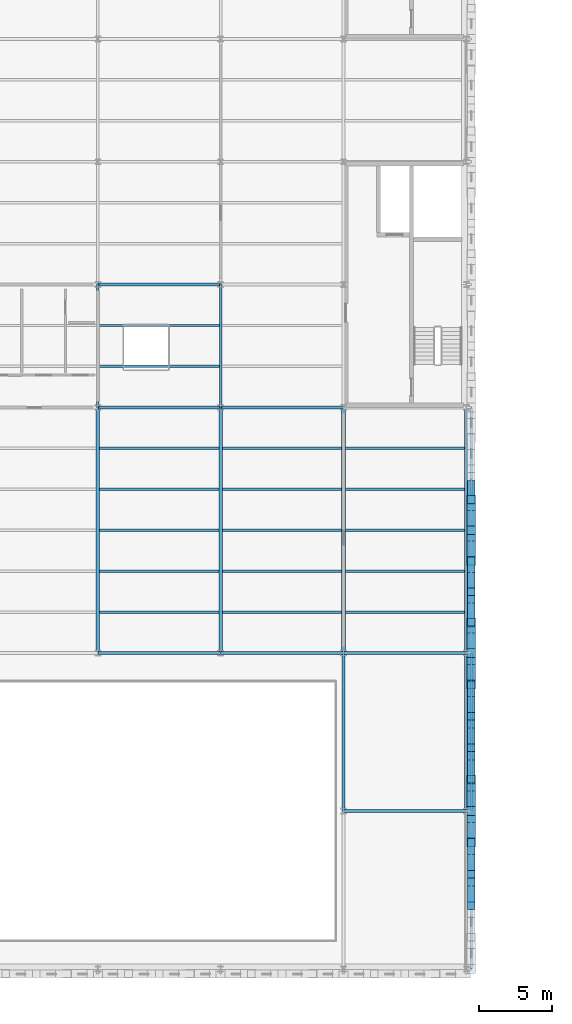
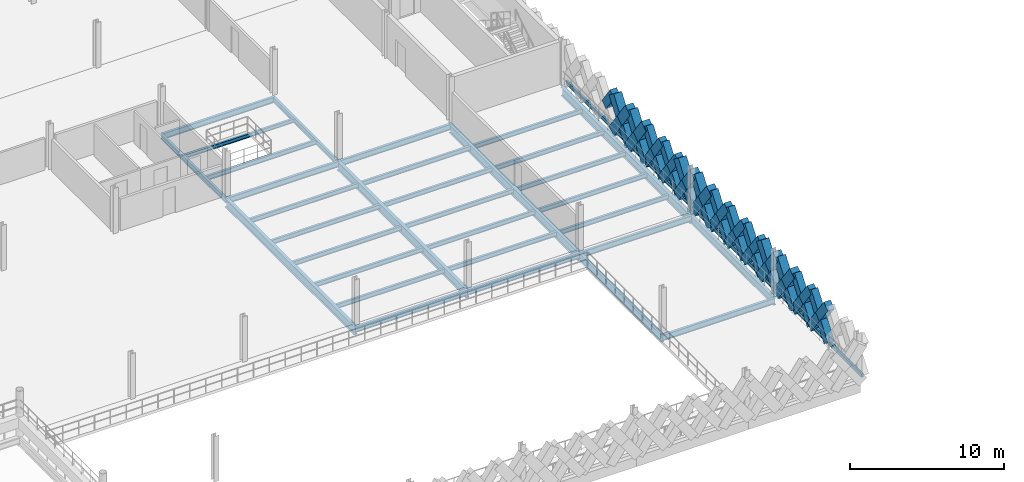
# One storey, part 23 of 74: 43 members, 32 beams.
"""IFC4 building model written with IfcOpenShell, lengths in metres."""

from ifc_helpers import new_model, si_unit, direction, frame, origin, origin_2d, place, context, subcontext, project, spatial, rectangle, hollow_rectangle, i_section, extrude, material, material_profile, profile_set, type_object, element, save


model = new_model("IFC4")

# Units and contexts
model_context = context("Model", 3, precision=1e-05, world=origin(), true_north=direction((0.0, 1.0)))
body_context = subcontext(model_context, "Body", "Model", "MODEL_VIEW")
ifc_project = project(units=[si_unit("LENGTHUNIT", "METRE"), si_unit("AREAUNIT", "SQUARE_METRE"), si_unit("VOLUMEUNIT", "CUBIC_METRE"), si_unit("PLANEANGLEUNIT", "RADIAN"), si_unit("MASSUNIT", "GRAM", prefix="KILO"), si_unit("THERMODYNAMICTEMPERATUREUNIT", "KELVIN"), si_unit("POWERUNIT", "WATT")], contexts=[model_context])

# Site, building, storey
site_placement = place(None, origin())
site = spatial("IfcSite", under=ifc_project, at=site_placement, CompositionType="ELEMENT")
building_placement = place(site_placement, origin())
building = spatial("IfcBuilding", under=site, at=building_placement, Name="Tembeka Court Mobility Hub", CompositionType="ELEMENT")
storey_placement = place(building_placement, frame((0.0, 0.0, 12.60009765625)))
storey = spatial("IfcBuildingStorey", under=building, at=storey_placement, Name="L03", CompositionType="ELEMENT", Elevation=12.60009765625)

# Beams
ifc_material_1 = material(Name="Steel S355", Category="steel")
ifc_material_profile_1 = material_profile(ifc_material_1, i_section(OverallWidth=0.18994140625, OverallDepth=0.45703125, WebThickness=0.009033203125, FlangeThickness=0.014404296875, FilletRadius=0.01025390625, at=origin_2d()), Name="UKB 457x191x74")
ifc_profile_set_1 = profile_set([ifc_material_profile_1], Name="Steel S355")
beam_type_1 = type_object("IfcBeamType", Name="BM-B01", PredefinedType="BEAM", material=ifc_profile_set_1)
beam_1_placement = place(storey_placement, frame((84.0, 10.800048828125, -0.448486328125), z_axis=(1.0, 0.0, 0.0), x_axis=(0.0, 1.0, 0.0)))
element("IfcBeam", 1, at=beam_1_placement, inside=storey, type_object=beam_type_1, Name="Beam B01 (BM-L03-X1698)", PredefinedType="BEAM", context=body_context, shape_type="SweptSolid", body=[
    extrude(i_section(OverallWidth=0.18994140625, OverallDepth=0.45703125, WebThickness=0.009033203125, FlangeThickness=0.014404296875, FilletRadius=0.01025390625, at=origin_2d()), origin(), (0.0, 0.0, 1.0), 8.39990234375),
])
beam_2_placement = place(storey_placement, frame((67.199951171875, 21.60009765625, -0.448486328125), z_axis=(1.0, 0.0, 0.0), x_axis=(0.0, 1.0, 0.0)))
element("IfcBeam", 2, at=beam_2_placement, inside=storey, type_object=beam_type_1, Name="Beam B01 (BM-L03-X1711)", PredefinedType="BEAM", context=body_context, shape_type="SweptSolid", body=[
    extrude(i_section(OverallWidth=0.18994140625, OverallDepth=0.45703125, WebThickness=0.009033203125, FlangeThickness=0.014404296875, FilletRadius=0.01025390625, at=origin_2d()), origin(), (0.0, 0.0, 1.0), 8.400146484375),
])
for number, where, z_axis, x_axis, name in (
    (3, (75.60009765625, 21.60009765625, -0.448486328125), (1.0, 0.0, 0.0), (0.0, 1.0, 0.0), "Beam B01 (BM-L03-X1712)"),
    (4, (84.0, 21.60009765625, -0.448486328125), (1.0, 0.0, 0.0), (0.0, 1.0, 0.0), "Beam B01 (BM-L03-X1713)"),
):
    element("IfcBeam", number, at=place(storey_placement, frame(where, z_axis=z_axis, x_axis=x_axis)), inside=storey, type_object=beam_type_1, Name=name, PredefinedType="BEAM", context=body_context, shape_type="SweptSolid", body=[
        extrude(i_section(OverallWidth=0.18994140625, OverallDepth=0.45703125, WebThickness=0.009033203125, FlangeThickness=0.014404296875, FilletRadius=0.01025390625, at=origin_2d()), origin(), (0.0, 0.0, 1.0), 8.39990234375),
    ])
beam_3_placement = place(storey_placement, frame((67.199951171875, 38.39990234375, -0.448486328125), z_axis=(1.0, 0.0, 0.0), x_axis=(0.0, 1.0, 0.0)))
element("IfcBeam", 5, at=beam_3_placement, inside=storey, type_object=beam_type_1, Name="Beam B01 (BM-L03-X1726)", PredefinedType="BEAM", context=body_context, shape_type="SweptSolid", body=[
    extrude(i_section(OverallWidth=0.18994140625, OverallDepth=0.45703125, WebThickness=0.009033203125, FlangeThickness=0.014404296875, FilletRadius=0.01025390625, at=origin_2d()), origin(), (0.0, 0.0, 1.0), 8.400146484375),
])
beam_4_placement = place(storey_placement, frame((75.60009765625, 38.39990234375, -0.448486328125), z_axis=(1.0, 0.0, 0.0), x_axis=(0.0, 1.0, 0.0)))
element("IfcBeam", 6, at=beam_4_placement, inside=storey, type_object=beam_type_1, Name="Beam B01 (BM-L03-X1727)", PredefinedType="BEAM", context=body_context, shape_type="SweptSolid", body=[
    extrude(i_section(OverallWidth=0.18994140625, OverallDepth=0.45703125, WebThickness=0.009033203125, FlangeThickness=0.014404296875, FilletRadius=0.01025390625, at=origin_2d()), origin(), (0.0, 0.0, 1.0), 8.39990234375),
])
beam_5_placement = place(storey_placement, frame((67.199951171875, 46.800048828125, -0.448486328125), z_axis=(1.0, 0.0, 0.0), x_axis=(0.0, 1.0, 0.0)))
element("IfcBeam", 7, at=beam_5_placement, inside=storey, type_object=beam_type_1, Name="Beam B01 (BM-L03-X1741)", PredefinedType="BEAM", context=body_context, shape_type="SweptSolid", body=[
    extrude(i_section(OverallWidth=0.18994140625, OverallDepth=0.45703125, WebThickness=0.009033203125, FlangeThickness=0.014404296875, FilletRadius=0.01025390625, at=origin_2d()), origin(), (0.0, 0.0, 1.0), 8.400146484375),
])
ifc_material_profile_2 = material_profile(ifc_material_1, i_section(OverallWidth=0.177978515625, OverallDepth=0.406005859375, WebThickness=0.0078125, FlangeThickness=0.0126953125, FilletRadius=0.01025390625, at=origin_2d()), Name="UKB 406x178x60")
ifc_profile_set_2 = profile_set([ifc_material_profile_2], Name="Steel S355")
beam_type_2 = type_object("IfcBeamType", Name="BM-B02", PredefinedType="BEAM", material=ifc_profile_set_2)
for number, where, z_axis, x_axis, name in (
    (8, (67.199951171875, 38.39990234375, -0.423095703125), (0.0, 1.0, 0.0), (-1.0, 0.0, 0.0), "Beam B02 (BM-L03-Y1886)"),
    (9, (75.60009765625, 38.39990234375, -0.423095703125), (0.0, 1.0, 0.0), (-1.0, 0.0, 0.0), "Beam B02 (BM-L03-Y1893)"),
):
    element("IfcBeam", number, at=place(storey_placement, frame(where, z_axis=z_axis, x_axis=x_axis)), inside=storey, type_object=beam_type_2, Name=name, PredefinedType="BEAM", context=body_context, shape_type="SweptSolid", body=[
        extrude(i_section(OverallWidth=0.177978515625, OverallDepth=0.406005859375, WebThickness=0.0078125, FlangeThickness=0.0126953125, FilletRadius=0.01025390625, at=origin_2d()), origin(), (0.0, 0.0, 1.0), 8.400146484375),
    ])
ifc_material_profile_3 = material_profile(ifc_material_1, i_section(OverallWidth=0.25390625, OverallDepth=0.68408203125, WebThickness=0.012451171875, FlangeThickness=0.01904296875, FilletRadius=0.01513671875, at=origin_2d()), Name="UKB 686x254x140")
ifc_profile_set_3 = profile_set([ifc_material_profile_3], Name="Steel S355")
beam_type_3 = type_object("IfcBeamType", Name="BM-G01", PredefinedType="USERDEFINED", material=ifc_profile_set_3)
for number, where, z_axis, x_axis, name in (
    (10, (67.199951171875, 21.60009765625, -0.56201171875), (0.0, 1.0, 0.0), (-1.0, 0.0, 0.0), "Beam G01 (BM-L03-Y1885)"),
    (11, (75.60009765625, 21.60009765625, -0.56201171875), (0.0, 1.0, 0.0), (-1.0, 0.0, 0.0), "Beam G01 (BM-L03-Y1892)"),
    (12, (84.0, 21.60009765625, -0.56201171875), (0.0, 1.0, 0.0), (-1.0, 0.0, 0.0), "Beam G01 (BM-L03-Y1901)"),
    (13, (92.39990234375, 21.60009765625, -0.56201171875), (0.0, 1.0, 0.0), (-1.0, 0.0, 0.0), "Beam G01 (BM-L03-Y1912)"),
):
    element("IfcBeam", number, at=place(storey_placement, frame(where, z_axis=z_axis, x_axis=x_axis)), inside=storey, type_object=beam_type_3, Name=name, ObjectType="GIRDER", PredefinedType="USERDEFINED", context=body_context, shape_type="SweptSolid", body=[
        extrude(i_section(OverallWidth=0.25390625, OverallDepth=0.68408203125, WebThickness=0.012451171875, FlangeThickness=0.01904296875, FilletRadius=0.01513671875, at=origin_2d()), origin(), (0.0, 0.0, 1.0), 16.7998046875),
    ])
ifc_material_profile_4 = material_profile(ifc_material_1, i_section(OverallWidth=0.22900390625, OverallDepth=0.612060546875, WebThickness=0.011962890625, FlangeThickness=0.01953125, FilletRadius=0.0126953125, at=origin_2d()), Name="UKB 610x229x125")
ifc_profile_set_4 = profile_set([ifc_material_profile_4], Name="Steel S355")
beam_type_4 = type_object("IfcBeamType", Name="BM-G02", PredefinedType="USERDEFINED", material=ifc_profile_set_4)
for number, where, z_axis, x_axis, name in (
    (14, (84.0, 10.800048828125, -0.526123046875), (0.0, 1.0, 0.0), (-1.0, 0.0, 0.0), "Beam G02 (BM-L03-Y1900)"),
    (15, (92.39990234375, 10.800048828125, -0.526123046875), (0.0, 1.0, 0.0), (-1.0, 0.0, 0.0), "Beam G02 (BM-L03-Y1911)"),
):
    element("IfcBeam", number, at=place(storey_placement, frame(where, z_axis=z_axis, x_axis=x_axis)), inside=storey, type_object=beam_type_4, Name=name, ObjectType="GIRDER", PredefinedType="USERDEFINED", context=body_context, shape_type="SweptSolid", body=[
        extrude(i_section(OverallWidth=0.22900390625, OverallDepth=0.612060546875, WebThickness=0.011962890625, FlangeThickness=0.01953125, FilletRadius=0.0126953125, at=origin_2d()), origin(), (0.0, 0.0, 1.0), 10.800048828125),
    ])
ifc_material_profile_5 = material_profile(ifc_material_1, i_section(OverallWidth=0.172119140625, OverallDepth=0.35498046875, WebThickness=0.00732421875, FlangeThickness=0.011474609375, FilletRadius=0.01025390625, at=origin_2d()), Name="UKB 356x171x51")
ifc_profile_set_5 = profile_set([ifc_material_profile_5], Name="Steel S355")
beam_type_5 = type_object("IfcBeamType", Name="BM-J01", PredefinedType="JOIST", material=ifc_profile_set_5)
for number, where, z_axis, x_axis, name in (
    (16, (67.322021484375, 24.39990234375, -0.397705078125), (1.0, 0.0, 0.0), (0.0, 1.0, 0.0), "Beam J01 (JST-L03-2090)"),
    (17, (67.322021484375, 27.199951171875, -0.397705078125), (1.0, 0.0, 0.0), (0.0, 1.0, 0.0), "Beam J01 (JST-L03-2091)"),
    (18, (67.322021484375, 30.0, -0.397705078125), (1.0, 0.0, 0.0), (0.0, 1.0, 0.0), "Beam J01 (JST-L03-2092)"),
    (19, (67.322021484375, 32.800048828125, -0.397705078125), (1.0, 0.0, 0.0), (0.0, 1.0, 0.0), "Beam J01 (JST-L03-2093)"),
    (20, (67.322021484375, 35.60009765625, -0.397705078125), (1.0, 0.0, 0.0), (0.0, 1.0, 0.0), "Beam J01 (JST-L03-2094)"),
    (21, (75.721923828125, 24.39990234375, -0.397705078125), (1.0, 0.0, 0.0), (0.0, 1.0, 0.0), "Beam J01 (JST-L03-2110)"),
    (22, (75.721923828125, 27.199951171875, -0.397705078125), (1.0, 0.0, 0.0), (0.0, 1.0, 0.0), "Beam J01 (JST-L03-2111)"),
    (23, (75.721923828125, 30.0, -0.397705078125), (1.0, 0.0, 0.0), (0.0, 1.0, 0.0), "Beam J01 (JST-L03-2112)"),
    (24, (75.721923828125, 32.800048828125, -0.397705078125), (1.0, 0.0, 0.0), (0.0, 1.0, 0.0), "Beam J01 (JST-L03-2113)"),
    (25, (75.721923828125, 35.60009765625, -0.397705078125), (1.0, 0.0, 0.0), (0.0, 1.0, 0.0), "Beam J01 (JST-L03-2114)"),
    (26, (84.1220703125, 24.39990234375, -0.397705078125), (1.0, 0.0, 0.0), (0.0, 1.0, 0.0), "Beam J01 (JST-L03-2130)"),
    (27, (84.1220703125, 27.199951171875, -0.397705078125), (1.0, 0.0, 0.0), (0.0, 1.0, 0.0), "Beam J01 (JST-L03-2131)"),
    (28, (84.1220703125, 30.0, -0.397705078125), (1.0, 0.0, 0.0), (0.0, 1.0, 0.0), "Beam J01 (JST-L03-2132)"),
    (29, (84.1220703125, 32.800048828125, -0.397705078125), (1.0, 0.0, 0.0), (0.0, 1.0, 0.0), "Beam J01 (JST-L03-2133)"),
    (30, (84.1220703125, 35.60009765625, -0.397705078125), (1.0, 0.0, 0.0), (0.0, 1.0, 0.0), "Beam J01 (JST-L03-2134)"),
):
    element("IfcBeam", number, at=place(storey_placement, frame(where, z_axis=z_axis, x_axis=x_axis)), inside=storey, type_object=beam_type_5, Name=name, PredefinedType="JOIST", context=body_context, shape_type="SweptSolid", body=[
        extrude(i_section(OverallWidth=0.172119140625, OverallDepth=0.35498046875, WebThickness=0.00732421875, FlangeThickness=0.011474609375, FilletRadius=0.01025390625, at=origin_2d()), origin(), (0.0, 0.0, 1.0), 8.156005859375),
    ])
ifc_material_profile_6 = material_profile(ifc_material_1, i_section(OverallWidth=0.1650390625, OverallDepth=0.303955078125, WebThickness=0.006103515625, FlangeThickness=0.01025390625, FilletRadius=0.0087890625, at=origin_2d()), Name="UKB 305x165x40")
ifc_profile_set_6 = profile_set([ifc_material_profile_6], Name="Steel S355")
beam_type_6 = type_object("IfcBeamType", Name="BM-J02", PredefinedType="JOIST", material=ifc_profile_set_6)
beam_6_placement = place(storey_placement, frame((67.283935546875, 44.0, -0.3720703125), z_axis=(1.0, 0.0, 0.0), x_axis=(0.0, 1.0, 0.0)))
element("IfcBeam", 31, at=beam_6_placement, inside=storey, type_object=beam_type_6, Name="Beam J02 (JST-L03-2096)", PredefinedType="JOIST", context=body_context, shape_type="SweptSolid", body=[
    extrude(i_section(OverallWidth=0.1650390625, OverallDepth=0.303955078125, WebThickness=0.006103515625, FlangeThickness=0.01025390625, FilletRadius=0.0087890625, at=origin_2d()), origin(), (0.0, 0.0, 1.0), 8.232177734375),
])
ifc_material_profile_7 = material_profile(ifc_material_1, i_section(OverallWidth=0.169921875, OverallDepth=0.360107421875, WebThickness=0.008056640625, FlangeThickness=0.0126953125, FilletRadius=0.01806640625, at=origin_2d()), Name="IPE 360")
ifc_profile_set_7 = profile_set([ifc_material_profile_7], Name="Steel S355")
beam_type_7 = type_object("IfcBeamType", Name="BM-J03", PredefinedType="JOIST", material=ifc_profile_set_7)
beam_7_placement = place(storey_placement, frame((67.283935546875, 41.199951171875, -0.400146484375), z_axis=(1.0, 0.0, 0.0), x_axis=(0.0, 1.0, 0.0)))
element("IfcBeam", 32, at=beam_7_placement, inside=storey, type_object=beam_type_7, Name="Beam J03 (JST-L03-2095)", PredefinedType="JOIST", context=body_context, shape_type="SweptSolid", body=[
    extrude(i_section(OverallWidth=0.169921875, OverallDepth=0.360107421875, WebThickness=0.008056640625, FlangeThickness=0.0126953125, FilletRadius=0.01806640625, at=origin_2d()), origin(), (0.0, 0.0, 1.0), 8.232177734375),
])

# Members
ifc_material_2 = material(Name="Precast concrete C45/55", Category="concrete")
ifc_material_profile_8 = material_profile(ifc_material_2, rectangle(XDim=0.5, YDim=0.64990234375, at=origin_2d()), Name="PC-DIAG 500x650")
ifc_profile_set_8 = profile_set([ifc_material_profile_8], Name="Precast concrete C45/55")
member_type_1 = type_object("IfcMemberType", Name="MEM-DL01", PredefinedType="BRACE", material=ifc_profile_set_8)
member_1_placement = place(storey_placement, frame((92.739990234375, 4.320068359375, 0.02001953125), z_axis=(0.0, 0.593379766398, 0.804922637792), x_axis=(-1.0, 0.0, 0.0)))
element("IfcMember", 33, at=member_1_placement, inside=storey, type_object=member_type_1, Name="Precast diamond lattice continuous strand DL01 (L03-535C)", PredefinedType="BRACE", context=body_context, shape_type="SweptSolid", body=[
    extrude(rectangle(XDim=0.5, YDim=0.64990234375, at=origin_2d()), origin(), (0.0, 0.0, 1.0), 3.64013671875),
])
for number, where, z_axis, x_axis, name in (
    (34, (92.739990234375, 6.47998046875, 0.02001953125), (0.0, -0.593455255298, 0.804866982773), (1.0, 0.0, 0.0), "Precast diamond lattice split lower strand DL01 (L03-535D1)"),
    (35, (92.739990234375, 5.39990234375, 1.48486328125), (0.0, -0.593304274421, 0.804978284151), (1.0, 0.0, 0.0), "Precast diamond lattice split upper strand DL01 (L03-535D2)"),
):
    element("IfcMember", number, at=place(storey_placement, frame(where, z_axis=z_axis, x_axis=x_axis)), inside=storey, type_object=member_type_1, Name=name, PredefinedType="BRACE", context=body_context, shape_type="SweptSolid", body=[
        extrude(rectangle(XDim=0.5, YDim=0.64990234375, at=origin_2d()), origin(), (0.0, 0.0, 1.0), 1.820068359375),
    ])
member_2_placement = place(storey_placement, frame((92.739990234375, 6.47998046875, 0.02001953125), z_axis=(0.0, 0.593379766398, 0.804922637792), x_axis=(-1.0, 0.0, 0.0)))
element("IfcMember", 36, at=member_2_placement, inside=storey, type_object=member_type_1, Name="Precast diamond lattice continuous strand DL01 (L03-536C)", PredefinedType="BRACE", context=body_context, shape_type="SweptSolid", body=[
    extrude(rectangle(XDim=0.5, YDim=0.64990234375, at=origin_2d()), origin(), (0.0, 0.0, 1.0), 3.64013671875),
])
member_3_placement = place(storey_placement, frame((92.739990234375, 8.639892578125, 0.02001953125), z_axis=(0.0, -0.593368344659, 0.804931057642), x_axis=(1.0, 0.0, 0.0)))
element("IfcMember", 37, at=member_3_placement, inside=storey, type_object=member_type_1, Name="Precast diamond lattice split lower strand DL01 (L03-536D1)", PredefinedType="BRACE", context=body_context, shape_type="SweptSolid", body=[
    extrude(rectangle(XDim=0.5, YDim=0.64990234375, at=origin_2d()), origin(), (0.0, 0.0, 1.0), 1.81982421875),
])
member_4_placement = place(storey_placement, frame((92.739990234375, 7.56005859375, 1.48486328125), z_axis=(0.0, -0.593391185876, 0.804914219358), x_axis=(1.0, 0.0, 0.0)))
element("IfcMember", 38, at=member_4_placement, inside=storey, type_object=member_type_1, Name="Precast diamond lattice split upper strand DL01 (L03-536D2)", PredefinedType="BRACE", context=body_context, shape_type="SweptSolid", body=[
    extrude(rectangle(XDim=0.5, YDim=0.64990234375, at=origin_2d()), origin(), (0.0, 0.0, 1.0), 1.820068359375),
])
member_5_placement = place(storey_placement, frame((92.739990234375, 12.9599609375, 0.02001953125), z_axis=(0.0, 0.593423219328, 0.804890602978), x_axis=(-1.0, 0.0, 0.0)))
element("IfcMember", 39, at=member_5_placement, inside=storey, type_object=member_type_1, Name="Precast diamond lattice continuous strand DL01 (L03-539C)", PredefinedType="BRACE", context=body_context, shape_type="SweptSolid", body=[
    extrude(rectangle(XDim=0.5, YDim=0.64990234375, at=origin_2d()), origin(), (0.0, 0.0, 1.0), 3.64013671875),
])
for number, where, z_axis, x_axis, name in (
    (40, (92.739990234375, 15.1201171875, 0.02001953125), (0.0, -0.593455255298, 0.804866982773), (1.0, 0.0, 0.0), "Precast diamond lattice split lower strand DL01 (L03-539D1)"),
    (41, (92.739990234375, 14.0400390625, 1.48486328125), (0.0, -0.593391185876, 0.804914219358), (1.0, 0.0, 0.0), "Precast diamond lattice split upper strand DL01 (L03-539D2)"),
):
    element("IfcMember", number, at=place(storey_placement, frame(where, z_axis=z_axis, x_axis=x_axis)), inside=storey, type_object=member_type_1, Name=name, PredefinedType="BRACE", context=body_context, shape_type="SweptSolid", body=[
        extrude(rectangle(XDim=0.5, YDim=0.64990234375, at=origin_2d()), origin(), (0.0, 0.0, 1.0), 1.820068359375),
    ])
member_6_placement = place(storey_placement, frame((92.739990234375, 15.1201171875, 0.02001953125), z_axis=(0.0, 0.593379766398, 0.804922637792), x_axis=(-1.0, 0.0, 0.0)))
element("IfcMember", 42, at=member_6_placement, inside=storey, type_object=member_type_1, Name="Precast diamond lattice continuous strand DL01 (L03-540C)", PredefinedType="BRACE", context=body_context, shape_type="SweptSolid", body=[
    extrude(rectangle(XDim=0.5, YDim=0.64990234375, at=origin_2d()), origin(), (0.0, 0.0, 1.0), 3.64013671875),
])
for number, where, z_axis, x_axis, name in (
    (43, (92.739990234375, 17.280029296875, 0.02001953125), (0.0, -0.593455255298, 0.804866982773), (1.0, 0.0, 0.0), "Precast diamond lattice split lower strand DL01 (L03-540D1)"),
    (44, (92.739990234375, 16.199951171875, 1.48486328125), (0.0, -0.593304274421, 0.804978284151), (1.0, 0.0, 0.0), "Precast diamond lattice split upper strand DL01 (L03-540D2)"),
):
    element("IfcMember", number, at=place(storey_placement, frame(where, z_axis=z_axis, x_axis=x_axis)), inside=storey, type_object=member_type_1, Name=name, PredefinedType="BRACE", context=body_context, shape_type="SweptSolid", body=[
        extrude(rectangle(XDim=0.5, YDim=0.64990234375, at=origin_2d()), origin(), (0.0, 0.0, 1.0), 1.820068359375),
    ])
member_7_placement = place(storey_placement, frame((92.739990234375, 17.280029296875, 0.02001953125), z_axis=(0.0, 0.593379766398, 0.804922637792), x_axis=(-1.0, 0.0, 0.0)))
element("IfcMember", 45, at=member_7_placement, inside=storey, type_object=member_type_1, Name="Precast diamond lattice continuous strand DL01 (L03-541C)", PredefinedType="BRACE", context=body_context, shape_type="SweptSolid", body=[
    extrude(rectangle(XDim=0.5, YDim=0.64990234375, at=origin_2d()), origin(), (0.0, 0.0, 1.0), 3.64013671875),
])
member_8_placement = place(storey_placement, frame((92.739990234375, 19.43994140625, 0.02001953125), z_axis=(0.0, -0.593368344659, 0.804931057642), x_axis=(1.0, 0.0, 0.0)))
element("IfcMember", 46, at=member_8_placement, inside=storey, type_object=member_type_1, Name="Precast diamond lattice split lower strand DL01 (L03-541D1)", PredefinedType="BRACE", context=body_context, shape_type="SweptSolid", body=[
    extrude(rectangle(XDim=0.5, YDim=0.64990234375, at=origin_2d()), origin(), (0.0, 0.0, 1.0), 1.81982421875),
])
member_9_placement = place(storey_placement, frame((92.739990234375, 18.360107421875, 1.48486328125), z_axis=(0.0, -0.593391185876, 0.804914219358), x_axis=(1.0, 0.0, 0.0)))
element("IfcMember", 47, at=member_9_placement, inside=storey, type_object=member_type_1, Name="Precast diamond lattice split upper strand DL01 (L03-541D2)", PredefinedType="BRACE", context=body_context, shape_type="SweptSolid", body=[
    extrude(rectangle(XDim=0.5, YDim=0.64990234375, at=origin_2d()), origin(), (0.0, 0.0, 1.0), 1.820068359375),
])
member_10_placement = place(storey_placement, frame((92.739990234375, 23.699951171875, 0.02001953125), z_axis=(0.0, 0.582576362011, 0.812775973086), x_axis=(-1.0, 0.0, 0.0)))
element("IfcMember", 48, at=member_10_placement, inside=storey, type_object=member_type_1, Name="Precast diamond lattice continuous strand DL01 (L03-544C)", PredefinedType="BRACE", context=body_context, shape_type="SweptSolid", body=[
    extrude(rectangle(XDim=0.5, YDim=0.64990234375, at=origin_2d()), origin(), (0.0, 0.0, 1.0), 3.604736328125),
])
member_11_placement = place(storey_placement, frame((92.739990234375, 25.800048828125, 0.02001953125), z_axis=(0.0, -0.582608431711, 0.812752985414), x_axis=(1.0, 0.0, 0.0)))
element("IfcMember", 49, at=member_11_placement, inside=storey, type_object=member_type_1, Name="Precast diamond lattice split lower strand DL01 (L03-544D1)", PredefinedType="BRACE", context=body_context, shape_type="SweptSolid", body=[
    extrude(rectangle(XDim=0.5, YDim=0.64990234375, at=origin_2d()), origin(), (0.0, 0.0, 1.0), 1.80224609375),
])
member_12_placement = place(storey_placement, frame((92.739990234375, 24.75, 1.48486328125), z_axis=(0.0, -0.582544294934, 0.812798956963), x_axis=(1.0, 0.0, 0.0)))
element("IfcMember", 50, at=member_12_placement, inside=storey, type_object=member_type_1, Name="Precast diamond lattice split upper strand DL01 (L03-544D2)", PredefinedType="BRACE", context=body_context, shape_type="SweptSolid", body=[
    extrude(rectangle(XDim=0.5, YDim=0.64990234375, at=origin_2d()), origin(), (0.0, 0.0, 1.0), 1.802490234375),
])
member_13_placement = place(storey_placement, frame((92.739990234375, 25.800048828125, 0.02001953125), z_axis=(0.0, 0.58253161945, 0.812808041509), x_axis=(-1.0, 0.0, 0.0)))
element("IfcMember", 51, at=member_13_placement, inside=storey, type_object=member_type_1, Name="Precast diamond lattice continuous strand DL01 (L03-545C)", PredefinedType="BRACE", context=body_context, shape_type="SweptSolid", body=[
    extrude(rectangle(XDim=0.5, YDim=0.64990234375, at=origin_2d()), origin(), (0.0, 0.0, 1.0), 3.604736328125),
])
member_14_placement = place(storey_placement, frame((92.739990234375, 27.89990234375, 0.02001953125), z_axis=(0.0, -0.582518941428, 0.812817127574), x_axis=(1.0, 0.0, 0.0)))
element("IfcMember", 52, at=member_14_placement, inside=storey, type_object=member_type_1, Name="Precast diamond lattice split lower strand DL01 (L03-545D1)", PredefinedType="BRACE", context=body_context, shape_type="SweptSolid", body=[
    extrude(rectangle(XDim=0.5, YDim=0.64990234375, at=origin_2d()), origin(), (0.0, 0.0, 1.0), 1.80224609375),
])
for number, where, z_axis, x_axis, name in (
    (53, (92.739990234375, 26.85009765625, 1.48486328125), (0.0, -0.582544294934, 0.812798956963), (1.0, 0.0, 0.0), "Precast diamond lattice split upper strand DL01 (L03-545D2)"),
    (54, (92.739990234375, 33.14990234375, 1.48486328125), (0.0, -0.582454804382, 0.812863088627), (1.0, 0.0, 0.0), "Precast diamond lattice split upper strand DL01 (L03-548D2)"),
):
    element("IfcMember", number, at=place(storey_placement, frame(where, z_axis=z_axis, x_axis=x_axis)), inside=storey, type_object=member_type_1, Name=name, PredefinedType="BRACE", context=body_context, shape_type="SweptSolid", body=[
        extrude(rectangle(XDim=0.5, YDim=0.64990234375, at=origin_2d()), origin(), (0.0, 0.0, 1.0), 1.802490234375),
    ])
ifc_material_profile_9 = material_profile(ifc_material_2, rectangle(XDim=0.60009765625, YDim=0.75, at=origin_2d()), Name="PC-DIAG 600x750")
ifc_profile_set_9 = profile_set([ifc_material_profile_9], Name="Precast concrete C45/55")
member_type_2 = type_object("IfcMemberType", Name="MEM-DL02", PredefinedType="BRACE", material=ifc_profile_set_9)
member_15_placement = place(storey_placement, frame((92.739990234375, 8.639892578125, 0.02001953125), z_axis=(0.0, 0.593423219328, 0.804890602978), x_axis=(-1.0, 0.0, 0.0)))
element("IfcMember", 55, at=member_15_placement, inside=storey, type_object=member_type_2, Name="Precast diamond lattice continuous strand DL02 (L03-537C)", PredefinedType="BRACE", context=body_context, shape_type="SweptSolid", body=[
    extrude(rectangle(XDim=0.60009765625, YDim=0.75, at=origin_2d()), origin(), (0.0, 0.0, 1.0), 3.64013671875),
])
for number, where, z_axis, x_axis, name in (
    (56, (92.739990234375, 10.800048828125, 0.02001953125), (0.0, -0.593455255298, 0.804866982773), (1.0, 0.0, 0.0), "Precast diamond lattice split lower strand DL02 (L03-537D1)"),
    (57, (92.739990234375, 9.719970703125, 1.48486328125), (0.0, -0.593391185876, 0.804914219358), (1.0, 0.0, 0.0), "Precast diamond lattice split upper strand DL02 (L03-537D2)"),
):
    element("IfcMember", number, at=place(storey_placement, frame(where, z_axis=z_axis, x_axis=x_axis)), inside=storey, type_object=member_type_2, Name=name, PredefinedType="BRACE", context=body_context, shape_type="SweptSolid", body=[
        extrude(rectangle(XDim=0.60009765625, YDim=0.75, at=origin_2d()), origin(), (0.0, 0.0, 1.0), 1.820068359375),
    ])
member_16_placement = place(storey_placement, frame((92.739990234375, 10.800048828125, 0.02001953125), z_axis=(0.0, 0.593379766398, 0.804922637792), x_axis=(-1.0, 0.0, 0.0)))
element("IfcMember", 58, at=member_16_placement, inside=storey, type_object=member_type_2, Name="Precast diamond lattice continuous strand DL02 (L03-538C)", PredefinedType="BRACE", context=body_context, shape_type="SweptSolid", body=[
    extrude(rectangle(XDim=0.60009765625, YDim=0.75, at=origin_2d()), origin(), (0.0, 0.0, 1.0), 3.64013671875),
])
for number, where, z_axis, x_axis, name in (
    (59, (92.739990234375, 12.9599609375, 0.02001953125), (0.0, -0.593455255298, 0.804866982773), (1.0, 0.0, 0.0), "Precast diamond lattice split lower strand DL02 (L03-538D1)"),
    (60, (92.739990234375, 11.8798828125, 1.48486328125), (0.0, -0.593304274421, 0.804978284151), (1.0, 0.0, 0.0), "Precast diamond lattice split upper strand DL02 (L03-538D2)"),
):
    element("IfcMember", number, at=place(storey_placement, frame(where, z_axis=z_axis, x_axis=x_axis)), inside=storey, type_object=member_type_2, Name=name, PredefinedType="BRACE", context=body_context, shape_type="SweptSolid", body=[
        extrude(rectangle(XDim=0.60009765625, YDim=0.75, at=origin_2d()), origin(), (0.0, 0.0, 1.0), 1.820068359375),
    ])
member_17_placement = place(storey_placement, frame((92.739990234375, 19.43994140625, 0.02001953125), z_axis=(0.0, 0.593423219328, 0.804890602978), x_axis=(-1.0, 0.0, 0.0)))
element("IfcMember", 61, at=member_17_placement, inside=storey, type_object=member_type_2, Name="Precast diamond lattice continuous strand DL02 (L03-542C)", PredefinedType="BRACE", context=body_context, shape_type="SweptSolid", body=[
    extrude(rectangle(XDim=0.60009765625, YDim=0.75, at=origin_2d()), origin(), (0.0, 0.0, 1.0), 3.64013671875),
])
for number, where, z_axis, x_axis, name in (
    (62, (92.739990234375, 21.60009765625, 0.02001953125), (0.0, -0.593455255298, 0.804866982773), (1.0, 0.0, 0.0), "Precast diamond lattice split lower strand DL02 (L03-542D1)"),
    (63, (92.739990234375, 20.52001953125, 1.48486328125), (0.0, -0.593391185876, 0.804914219358), (1.0, 0.0, 0.0), "Precast diamond lattice split upper strand DL02 (L03-542D2)"),
):
    element("IfcMember", number, at=place(storey_placement, frame(where, z_axis=z_axis, x_axis=x_axis)), inside=storey, type_object=member_type_2, Name=name, PredefinedType="BRACE", context=body_context, shape_type="SweptSolid", body=[
        extrude(rectangle(XDim=0.60009765625, YDim=0.75, at=origin_2d()), origin(), (0.0, 0.0, 1.0), 1.820068359375),
    ])
member_18_placement = place(storey_placement, frame((92.739990234375, 21.60009765625, 0.02001953125), z_axis=(0.0, 0.58253161945, 0.812808041509), x_axis=(-1.0, 0.0, 0.0)))
element("IfcMember", 64, at=member_18_placement, inside=storey, type_object=member_type_2, Name="Precast diamond lattice continuous strand DL02 (L03-543C)", PredefinedType="BRACE", context=body_context, shape_type="SweptSolid", body=[
    extrude(rectangle(XDim=0.60009765625, YDim=0.75, at=origin_2d()), origin(), (0.0, 0.0, 1.0), 3.604736328125),
])
member_19_placement = place(storey_placement, frame((92.739990234375, 23.699951171875, 0.02001953125), z_axis=(0.0, -0.582608431711, 0.812752985414), x_axis=(1.0, 0.0, 0.0)))
element("IfcMember", 65, at=member_19_placement, inside=storey, type_object=member_type_2, Name="Precast diamond lattice split lower strand DL02 (L03-543D1)", PredefinedType="BRACE", context=body_context, shape_type="SweptSolid", body=[
    extrude(rectangle(XDim=0.60009765625, YDim=0.75, at=origin_2d()), origin(), (0.0, 0.0, 1.0), 1.80224609375),
])
member_20_placement = place(storey_placement, frame((92.739990234375, 22.64990234375, 1.48486328125), z_axis=(0.0, -0.582454804382, 0.812863088627), x_axis=(1.0, 0.0, 0.0)))
element("IfcMember", 66, at=member_20_placement, inside=storey, type_object=member_type_2, Name="Precast diamond lattice split upper strand DL02 (L03-543D2)", PredefinedType="BRACE", context=body_context, shape_type="SweptSolid", body=[
    extrude(rectangle(XDim=0.60009765625, YDim=0.75, at=origin_2d()), origin(), (0.0, 0.0, 1.0), 1.802490234375),
])
member_21_placement = place(storey_placement, frame((92.739990234375, 27.89990234375, 0.02001953125), z_axis=(0.0, 0.582576362011, 0.812775973086), x_axis=(-1.0, 0.0, 0.0)))
element("IfcMember", 67, at=member_21_placement, inside=storey, type_object=member_type_2, Name="Precast diamond lattice continuous strand DL02 (L03-546C)", PredefinedType="BRACE", context=body_context, shape_type="SweptSolid", body=[
    extrude(rectangle(XDim=0.60009765625, YDim=0.75, at=origin_2d()), origin(), (0.0, 0.0, 1.0), 3.604736328125),
])
member_22_placement = place(storey_placement, frame((92.739990234375, 30.0, 0.02001953125), z_axis=(0.0, -0.582608431711, 0.812752985414), x_axis=(1.0, 0.0, 0.0)))
element("IfcMember", 68, at=member_22_placement, inside=storey, type_object=member_type_2, Name="Precast diamond lattice split lower strand DL02 (L03-546D1)", PredefinedType="BRACE", context=body_context, shape_type="SweptSolid", body=[
    extrude(rectangle(XDim=0.60009765625, YDim=0.75, at=origin_2d()), origin(), (0.0, 0.0, 1.0), 1.80224609375),
])
member_23_placement = place(storey_placement, frame((92.739990234375, 28.949951171875, 1.48486328125), z_axis=(0.0, -0.582544294934, 0.812798956963), x_axis=(1.0, 0.0, 0.0)))
element("IfcMember", 69, at=member_23_placement, inside=storey, type_object=member_type_2, Name="Precast diamond lattice split upper strand DL02 (L03-546D2)", PredefinedType="BRACE", context=body_context, shape_type="SweptSolid", body=[
    extrude(rectangle(XDim=0.60009765625, YDim=0.75, at=origin_2d()), origin(), (0.0, 0.0, 1.0), 1.802490234375),
])
member_24_placement = place(storey_placement, frame((92.739990234375, 30.0, 0.02001953125), z_axis=(0.0, 0.582576362011, 0.812775973086), x_axis=(-1.0, 0.0, 0.0)))
element("IfcMember", 70, at=member_24_placement, inside=storey, type_object=member_type_2, Name="Precast diamond lattice continuous strand DL02 (L03-547C)", PredefinedType="BRACE", context=body_context, shape_type="SweptSolid", body=[
    extrude(rectangle(XDim=0.60009765625, YDim=0.75, at=origin_2d()), origin(), (0.0, 0.0, 1.0), 3.604736328125),
])
member_25_placement = place(storey_placement, frame((92.739990234375, 32.10009765625, 0.02001953125), z_axis=(0.0, -0.582608431711, 0.812752985414), x_axis=(1.0, 0.0, 0.0)))
element("IfcMember", 71, at=member_25_placement, inside=storey, type_object=member_type_2, Name="Precast diamond lattice split lower strand DL02 (L03-547D1)", PredefinedType="BRACE", context=body_context, shape_type="SweptSolid", body=[
    extrude(rectangle(XDim=0.60009765625, YDim=0.75, at=origin_2d()), origin(), (0.0, 0.0, 1.0), 1.80224609375),
])
member_26_placement = place(storey_placement, frame((92.739990234375, 31.050048828125, 1.48486328125), z_axis=(0.0, -0.582544294934, 0.812798956963), x_axis=(1.0, 0.0, 0.0)))
element("IfcMember", 72, at=member_26_placement, inside=storey, type_object=member_type_2, Name="Precast diamond lattice split upper strand DL02 (L03-547D2)", PredefinedType="BRACE", context=body_context, shape_type="SweptSolid", body=[
    extrude(rectangle(XDim=0.60009765625, YDim=0.75, at=origin_2d()), origin(), (0.0, 0.0, 1.0), 1.802490234375),
])
ifc_material_profile_10 = material_profile(ifc_material_1, hollow_rectangle(XDim=0.14990234375, YDim=0.300048828125, WallThickness=0.010009765625, at=origin_2d()), Name="RHS 300x150x10")
ifc_profile_set_10 = profile_set([ifc_material_profile_10], Name="Steel S355")
member_type_3 = type_object("IfcMemberType", Name="MEM-ST03", PredefinedType="STRUT", material=ifc_profile_set_10)
for number, where, z_axis, x_axis, name in (
    (73, (92.739990234375, 0.0, 0.02001953125), (0.0, 1.0, 0.0), (-1.0, 0.0, 0.0), "Proud lattice sill tie chord SR03 (L03-E-0)"),
    (74, (92.739990234375, 10.800048828125, 0.02001953125), (0.0, 1.0, 0.0), (-1.0, 0.0, 0.0), "Proud lattice sill tie chord SR03 (L03-E-10)"),
):
    element("IfcMember", number, at=place(storey_placement, frame(where, z_axis=z_axis, x_axis=x_axis)), inside=storey, type_object=member_type_3, Name=name, PredefinedType="STRUT", context=body_context, shape_type="SweptSolid", body=[
        extrude(hollow_rectangle(XDim=0.14990234375, YDim=0.300048828125, WallThickness=0.010009765625, at=origin_2d()), origin(), (0.0, 0.0, 1.0), 10.800048828125),
    ])
member_27_placement = place(storey_placement, frame((92.739990234375, 21.60009765625, 0.02001953125), z_axis=(0.0, 1.0, 0.0), x_axis=(-1.0, 0.0, 0.0)))
element("IfcMember", 75, at=member_27_placement, inside=storey, type_object=member_type_3, Name="Proud lattice sill tie chord SR03 (L03-E-21)", PredefinedType="STRUT", context=body_context, shape_type="SweptSolid", body=[
    extrude(hollow_rectangle(XDim=0.14990234375, YDim=0.300048828125, WallThickness=0.010009765625, at=origin_2d()), origin(), (0.0, 0.0, 1.0), 16.7998046875),
])

save(model, "model.ifc")
